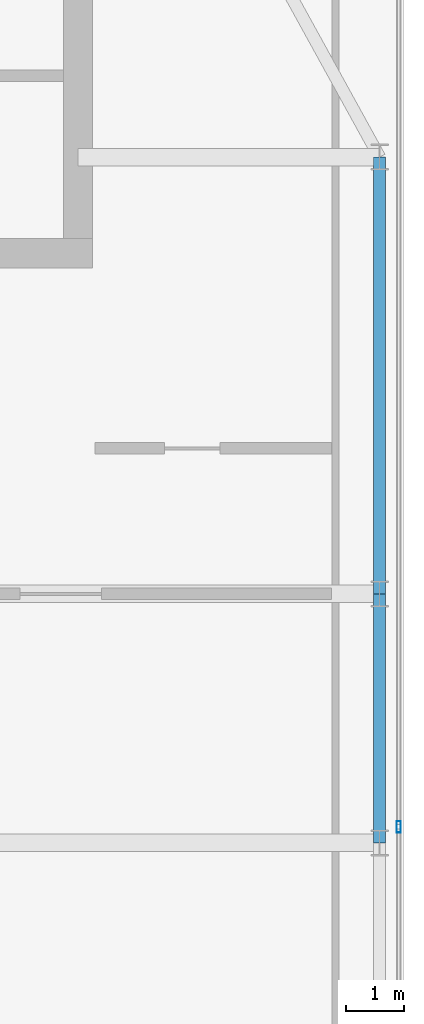
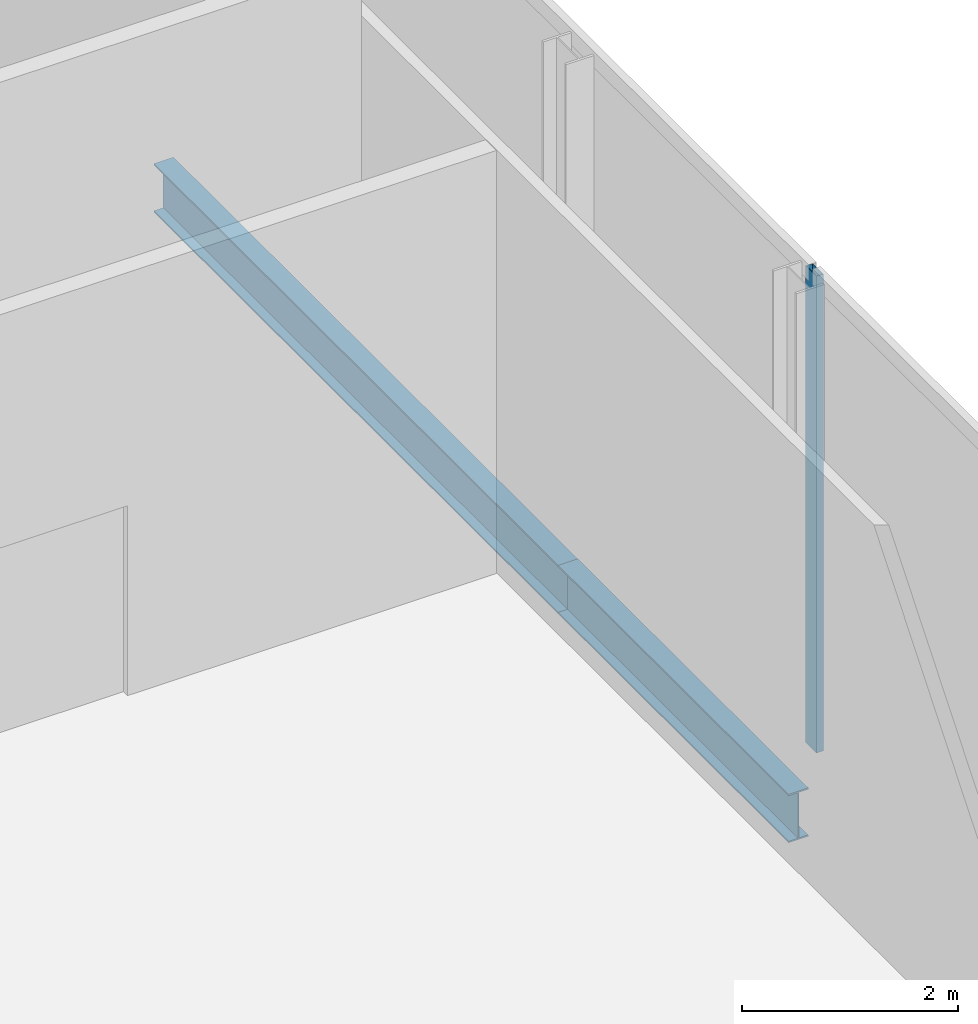
# One storey, part 17 of 26: 2 beams, 1 member, 1 element without a shape of its own.
"""IFC4 building model written with IfcOpenShell, lengths in metres."""

import ifcopenshell
import ifcopenshell.guid

model = None  # the IFC model being written
_history = None  # IfcOwnerHistory: only IFC2X3 demands one
_inside = {}  # id of a spatial element -> (the spatial element, [elements in it])
_under = {}  # id of a project, library or spatial element -> (it, [spatial elements below it])
_declared = {}  # id of a project -> (the project, [libraries it declares])
_typed = {}  # id of a type object -> (the type object, [elements of that type])
_made_of = {}  # id of a material, layer set ... -> (it, [elements and type objects made of it])


def new_model(schema):
    """Start an empty IFC model of exactly this schema.

    Asked for "IFC4X3", IfcOpenShell would pick the latest addendum, in which some entities
    have other attributes; the version numbers below select the first issue.
    IFC2X3 requires an IfcOwnerHistory on every rooted entity: one is made here for all.
    """
    global model, _history
    if schema == "IFC4X3":
        model = ifcopenshell.file(schema_version=(4, 3, 0, 0))
    else:
        model = ifcopenshell.file(schema=schema)
    _inside.clear()
    _under.clear()
    _declared.clear()
    _typed.clear()
    _made_of.clear()
    _history = None
    if model.schema == "IFC2X3":
        org = make("IfcOrganization", Name="unknown")
        user = make(
            "IfcPersonAndOrganization",
            ThePerson=make("IfcPerson", FamilyName="unknown"),
            TheOrganization=org,
        )
        app = make(
            "IfcApplication",
            ApplicationDeveloper=org,
            Version="unknown",
            ApplicationFullName="unknown",
            ApplicationIdentifier="unknown",
        )
        _history = make(
            "IfcOwnerHistory",
            OwningUser=user,
            OwningApplication=app,
            ChangeAction="ADDED",
            CreationDate=0,
        )
    return model


def make(cls, **values):
    """One entity of the class cls with the attributes given. An attribute that is None is left unset."""
    return model.create_entity(
        cls, **{name: value for name, value in values.items() if value is not None}
    )


def rooted(cls, **values):
    """An entity with a GlobalId (a new one), such as an element, a storey or a relation."""
    return make(cls, GlobalId=ifcopenshell.guid.new(), OwnerHistory=_history, **values)


def si_unit(unit_type, name, prefix=None):
    """IfcSIUnit, for example si_unit("LENGTHUNIT", "METRE", prefix="MILLI")."""
    return make("IfcSIUnit", UnitType=unit_type, Prefix=prefix, Name=name)


def assignment(units):
    """IfcUnitAssignment: the units of a project."""
    return None if units is None else make("IfcUnitAssignment", Units=units)


def point(xyz):
    """IfcCartesianPoint."""
    return None if xyz is None else make("IfcCartesianPoint", Coordinates=xyz)


def direction(xyz):
    """IfcDirection."""
    return None if xyz is None else make("IfcDirection", DirectionRatios=xyz)


def frame(location, z_axis=None, x_axis=None):
    """IfcAxis2Placement3D, a coordinate frame: its origin and axes. An axis left out is left unset."""
    return make(
        "IfcAxis2Placement3D",
        Location=point(location),
        Axis=direction(z_axis),
        RefDirection=direction(x_axis),
    )


def frame_2d(location, x_axis=None):
    """IfcAxis2Placement2D, a coordinate frame in the plane: its origin and x axis."""
    return make(
        "IfcAxis2Placement2D", Location=point(location), RefDirection=direction(x_axis)
    )


def origin():
    """The frame at (0, 0, 0) with its axes left unset."""
    return frame((0.0, 0.0, 0.0))


def origin_2d():
    """The frame at (0, 0) in the plane with its x axis left unset."""
    return frame_2d((0.0, 0.0))


def place(relative_to, where):
    """IfcLocalPlacement: puts the frame where relative to a parent placement (None: the world)."""
    return make(
        "IfcLocalPlacement", PlacementRelTo=relative_to, RelativePlacement=where
    )


def context(
    kind, dimensions, precision=None, world=None, true_north=None, identifier=None
):
    """IfcGeometricRepresentationContext, for example the 3D "Model" context."""
    return make(
        "IfcGeometricRepresentationContext",
        ContextIdentifier=identifier,
        ContextType=kind,
        CoordinateSpaceDimension=dimensions,
        Precision=precision,
        WorldCoordinateSystem=world,
        TrueNorth=true_north,
    )


def subcontext(parent, identifier, kind, view, scale=None):
    """IfcGeometricRepresentationSubContext, for example "Body" below "Model"."""
    return make(
        "IfcGeometricRepresentationSubContext",
        ContextIdentifier=identifier,
        ContextType=kind,
        ParentContext=parent,
        TargetScale=scale,
        TargetView=view,
    )


def project(units=None, contexts=None):
    """IfcProject with its units and contexts."""
    return rooted(
        "IfcProject",
        Name="project",
        RepresentationContexts=contexts,
        UnitsInContext=assignment(units),
    )


def spatial(cls, under=None, at=None, **own):
    """A site, building, storey or space (cls), placed at a placement, below another one or the project."""
    s = rooted(cls, ObjectPlacement=at, **own)
    if under is not None:
        _under.setdefault(under.id(), (under, []))[1].append(s)
    return s


def profile(cls, at=None, kind="AREA", **sizes):
    """A parametric profile (cls). Its sizes go by their IFC names, for example OverallWidth=200.0."""
    return make(cls, ProfileType=kind, Position=at, **sizes)


def hollow_rectangle(**sizes):
    """IfcRectangleHollowProfileDef."""
    return profile("IfcRectangleHollowProfileDef", **sizes)


def i_section(**sizes):
    """IfcIShapeProfileDef."""
    return profile("IfcIShapeProfileDef", **sizes)


def extrude(swept, where, along, depth):
    """IfcExtrudedAreaSolid: the profile swept, set in the frame where, extruded along a direction by depth."""
    return make(
        "IfcExtrudedAreaSolid",
        SweptArea=swept,
        Position=where,
        ExtrudedDirection=direction(along),
        Depth=depth,
    )


def shape(context_of_items, identifier, shape_type, items):
    """IfcShapeRepresentation: the items that make up one representation, for example the "Body"."""
    return make(
        "IfcShapeRepresentation",
        ContextOfItems=context_of_items,
        RepresentationIdentifier=identifier,
        RepresentationType=shape_type,
        Items=items,
    )


def material(Name=None, Category=None):
    """IfcMaterial."""
    return make("IfcMaterial", Name=Name, Category=Category)


def material_profile(
    of_material, cross_section, Name=None, Category=None, Priority=None
):
    """IfcMaterialProfile: a cross section and its material."""
    return make(
        "IfcMaterialProfile",
        Name=Name,
        Material=of_material,
        Profile=cross_section,
        Priority=Priority,
        Category=Category,
    )


def profile_set(profiles, Name=None, composite=None):
    """IfcMaterialProfileSet."""
    return make(
        "IfcMaterialProfileSet",
        Name=Name,
        MaterialProfiles=profiles,
        CompositeProfile=composite,
    )


def made_of(thing, what):
    """Note that an element or type object is made of a material, layer set ...; save() writes the relation."""
    if what is not None:
        _made_of.setdefault(what.id(), (what, []))[1].append(thing)
    return thing


def type_object(cls, material=None, **own):
    """A type object (cls), such as IfcWallType, which elements share."""
    return made_of(rooted(cls, **own), material)


def element(
    cls,
    number,
    at=None,
    inside=None,
    cuts=None,
    type_object=None,
    material=None,
    context=None,
    identifier="Body",
    shape_type=None,
    held_by="IfcProductDefinitionShape",
    body=None,
    shapes=None,
    **own,
):
    """One element of the class cls, such as IfcWall. Its Tag is "e" and its number.

    at: its placement. inside: the storey or other place that contains it. cuts: it is an
    opening in that element (IfcRelVoidsElement). A single representation is given by context,
    identifier, shape_type and body (its items); several are given by shapes. held_by: the class
    of the entity that holds the representations. save() writes the other relations.
    """
    e = rooted(cls, Tag="e%d" % number, ObjectPlacement=at, **own)
    if body is not None:
        shapes = [shape(context, identifier, shape_type, body)]
    if shapes is not None:
        e.Representation = make(held_by, Representations=shapes)
    if inside is not None:
        _inside.setdefault(inside.id(), (inside, []))[1].append(e)
    if cuts is not None:
        rooted(
            "IfcRelVoidsElement", RelatingBuildingElement=cuts, RelatedOpeningElement=e
        )
    if type_object is not None:
        _typed.setdefault(type_object.id(), (type_object, []))[1].append(e)
    return made_of(e, material)


def aggregate(whole, parts):
    """IfcRelAggregates: a whole, such as a stair, and the parts it consists of."""
    return rooted("IfcRelAggregates", RelatingObject=whole, RelatedObjects=parts)


def save(model, path):
    """Write the relations noted so far, then the file.

    IfcRelAggregates (storeys below a building ...), IfcRelContainedInSpatialStructure (elements
    in a storey), IfcRelDefinesByType, IfcRelAssociatesMaterial and IfcRelDeclares: one each for
    every whole, place, type object, material and project.
    """
    for whole, parts in _under.values():
        aggregate(whole, parts)
    for where, things in _inside.values():
        rooted(
            "IfcRelContainedInSpatialStructure",
            RelatedElements=things,
            RelatingStructure=where,
        )
    for kind, things in _typed.values():
        rooted("IfcRelDefinesByType", RelatedObjects=things, RelatingType=kind)
    for what, things in _made_of.values():
        rooted("IfcRelAssociatesMaterial", RelatedObjects=things, RelatingMaterial=what)
    for by, libraries in _declared.values():
        rooted("IfcRelDeclares", RelatingContext=by, RelatedDefinitions=libraries)
    model.write(path)


model = new_model("IFC4")

# Units and contexts
model_context = context("Model", 3, precision=1e-05, world=origin(), true_north=direction((0.0, 1.0)))
body_context = subcontext(model_context, "Body", "Model", "MODEL_VIEW")
ifc_project = project(units=[si_unit("LENGTHUNIT", "METRE"), si_unit("AREAUNIT", "SQUARE_METRE"), si_unit("VOLUMEUNIT", "CUBIC_METRE"), si_unit("PLANEANGLEUNIT", "RADIAN"), si_unit("MASSUNIT", "GRAM", prefix="KILO")], contexts=[model_context])

# Site, building, storey
site_placement = place(None, origin())
site = spatial("IfcSite", under=ifc_project, at=site_placement, CompositionType="ELEMENT")
building_placement = place(site_placement, origin())
building = spatial("IfcBuilding", under=site, at=building_placement, Name="Khoronbel Lancet Exchange", CompositionType="ELEMENT")
storey_placement = place(building_placement, frame((0.0, 0.0, 350.60009765625)))
storey = spatial("IfcBuildingStorey", under=building, at=storey_placement, Name="L91", CompositionType="ELEMENT", Elevation=350.60009765625)

# Beams
ifc_material_1 = material(Name="Steel S355", Category="steel")
ifc_material_profile_1 = material_profile(ifc_material_1, i_section(OverallWidth=0.2099609375, OverallDepth=0.550048828125, WebThickness=0.010986328125, FlangeThickness=0.01708984375, at=origin_2d()), Name="IPE 550")
ifc_profile_set_1 = profile_set([ifc_material_profile_1], Name="Steel S355")
beam_type = type_object("IfcBeamType", Name="BM-BSP3", PredefinedType="SPANDREL", material=ifc_profile_set_1)
beam_1_placement = place(storey_placement, frame((61.6298828125, 31.425048828125, -0.4951171875), z_axis=(0.0, 1.0, 0.0), x_axis=(-1.0, 0.0, 0.0)))
element("IfcBeam", 1, at=beam_1_placement, inside=storey, type_object=beam_type, Name="Level L91 perimeter spandrel beam SP11", PredefinedType="SPANDREL", context=body_context, shape_type="SweptSolid", body=[
    extrude(i_section(OverallWidth=0.2099609375, OverallDepth=0.550048828125, WebThickness=0.010986328125, FlangeThickness=0.01708984375, at=origin_2d()), origin(), (0.0, 0.0, 1.0), 4.27490234375),
])
beam_2_placement = place(storey_placement, frame((61.6298828125, 35.699951171875, -0.4951171875), z_axis=(0.0, 1.0, 0.0), x_axis=(-1.0, 0.0, 0.0)))
element("IfcBeam", 2, at=beam_2_placement, inside=storey, type_object=beam_type, Name="Level L91 perimeter spandrel beam SP12", PredefinedType="SPANDREL", context=body_context, shape_type="SweptSolid", body=[
    extrude(i_section(OverallWidth=0.2099609375, OverallDepth=0.550048828125, WebThickness=0.010986328125, FlangeThickness=0.01708984375, at=origin_2d()), origin(), (0.0, 0.0, 1.0), 7.5),
])

# Curtain wall, member
ifc_material_2 = material(Name="Low-E Solar Control Insulating Glass", Category="glass")
curtain_wall_type = type_object("IfcCurtainWallType", Name="CW-6", PredefinedType="NOTDEFINED", material=ifc_material_2)
curtain_wall_placement = place(storey_placement, origin())
curtain_wall = element("IfcCurtainWall", 3, at=curtain_wall_placement, inside=storey, type_object=curtain_wall_type, Name="Unitised curtain wall CW-L91-E09", PredefinedType="NOTDEFINED")
ifc_material_3 = material(Name="Bronze-Anodised Aluminium 6063-T6", Category="aluminium")
ifc_material_profile_2 = material_profile(ifc_material_3, hollow_rectangle(XDim=0.074951171875, YDim=0.199951171875, WallThickness=0.0048828125, at=origin_2d()), Name="ALU MULLION 75x200")
ifc_profile_set_2 = profile_set([ifc_material_profile_2], Name="Bronze-Anodised Aluminium 6063-T6")
member_type = type_object("IfcMemberType", Name="MEM-CWM2", PredefinedType="MULLION", material=ifc_profile_set_2)
member_placement = place(storey_placement, frame((61.9599609375, 31.699951171875, 0.0), z_axis=(0.0, 0.0, 1.0), x_axis=(1.0, 0.0, 0.0)))
member = element("IfcMember", 4, at=member_placement, type_object=member_type, Name="CW6 mullion 2", PredefinedType="MULLION", context=body_context, shape_type="SweptSolid", body=[
    extrude(hollow_rectangle(XDim=0.074951171875, YDim=0.199951171875, WallThickness=0.0048828125, at=origin_2d()), origin(), (0.0, 0.0, 1.0), 5.39990234375),
])
aggregate(curtain_wall, [member])

save(model, "model.ifc")
